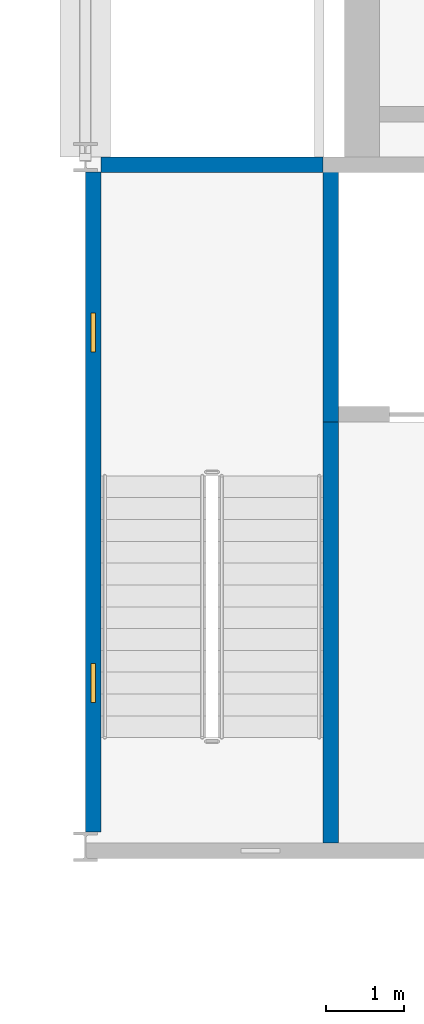
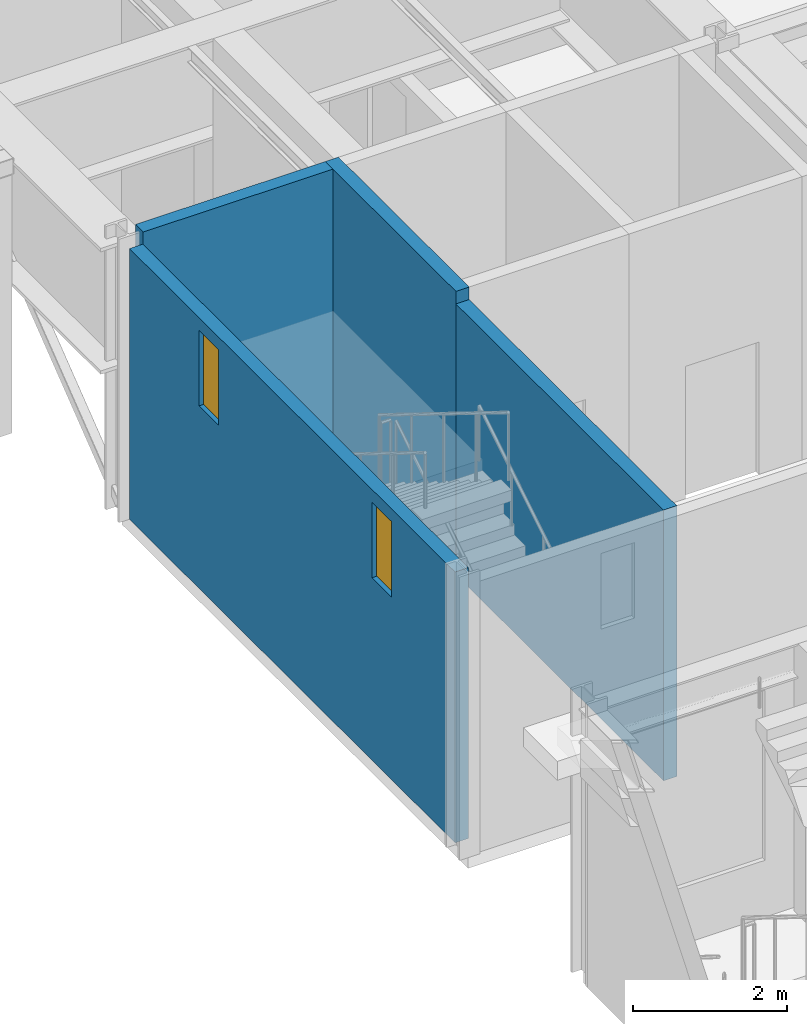
# One storey, part 101 of 153: 4 walls, 2 windows, 2 openings.
"""IFC4 building model written with IfcOpenShell, lengths in metres."""

from ifc_helpers import new_model, si_unit, direction, frame, frame_2d, origin, place, context, subcontext, project, spatial, rectangle, extrude, material, layer, layer_set, type_object, element, fill, save


model = new_model("IFC4")

# Units and contexts
model_context = context("Model", 3, precision=1e-05, world=origin(), true_north=direction((0.0, 1.0)))
body_context = subcontext(model_context, "Body", "Model", "MODEL_VIEW")
ifc_project = project(units=[si_unit("LENGTHUNIT", "METRE"), si_unit("AREAUNIT", "SQUARE_METRE"), si_unit("VOLUMEUNIT", "CUBIC_METRE"), si_unit("PLANEANGLEUNIT", "RADIAN"), si_unit("MASSUNIT", "GRAM", prefix="KILO")], contexts=[model_context])

# Site, building, storey
site_placement = place(None, origin())
site = spatial("IfcSite", under=ifc_project, at=site_placement, CompositionType="ELEMENT")
building_placement = place(site_placement, origin())
building = spatial("IfcBuilding", under=site, at=building_placement, Name="Kallimachos Central Library", CompositionType="ELEMENT")
storey_placement = place(building_placement, frame((0.0, 0.0, 5.39990234375)))
storey = spatial("IfcBuildingStorey", under=building, at=storey_placement, Name="L01", CompositionType="ELEMENT", Elevation=5.39990234375)

# Walls
ifc_material_1 = material(Name="Concrete C30/37", Category="concrete")
ifc_layer_1 = layer(ifc_material_1, 0.199951171875)
ifc_layer_set_1 = layer_set([ifc_layer_1], Name="Core wall 200")
wall_type_1 = type_object("IfcWallType", Name="Core wall 200", PredefinedType="SOLIDWALL", material=ifc_layer_set_1)
wall_1_placement = place(storey_placement, frame((65.699951171875, 95.89990234375, 0.0), z_axis=(0.0, 0.0, 1.0), x_axis=(1.0, 0.0, 0.0)))
element("IfcWall", 1, at=wall_1_placement, inside=storey, type_object=wall_type_1, Name="Core wall V1-SW N", PredefinedType="SOLIDWALL", context=body_context, shape_type="SweptSolid", body=[
    extrude(rectangle(XDim=2.85009765625, YDim=0.199951171875, at=frame_2d((1.425048828125, 0.0))), origin(), (0.0, 0.0, 1.0), 4.5),
])
wall_2_placement = place(storey_placement, frame((68.64990234375, 87.199951171875, 0.0), z_axis=(0.0, 0.0, 1.0), x_axis=(0.0, 1.0, 0.0)))
element("IfcWall", 2, at=wall_2_placement, inside=storey, type_object=wall_type_1, Name="Stair wall V1-SW", PredefinedType="SOLIDWALL", context=body_context, shape_type="SweptSolid", body=[
    extrude(rectangle(XDim=5.400146484375, YDim=0.199951171875, at=frame_2d((2.7001953125, 0.0))), origin(), (0.0, 0.0, 1.0), 4.300048828125),
])
ifc_material_2 = material(Name="Concrete C30/37", Category="concrete")
ifc_layer_2 = layer(ifc_material_2, 0.199951171875)
ifc_layer_set_2 = layer_set([ifc_layer_2], Name="Lift shaft wall 200")
wall_type_2 = type_object("IfcWallType", Name="Lift shaft wall 200", PredefinedType="SOLIDWALL", material=ifc_layer_set_2)
wall_3_placement = place(storey_placement, frame((68.64990234375, 92.60009765625, 0.0), z_axis=(0.0, 0.0, 1.0), x_axis=(0.0, 1.0, 0.0)))
element("IfcWall", 3, at=wall_3_placement, inside=storey, type_object=wall_type_2, Name="V1-WAL-L01-003", PredefinedType="SOLIDWALL", context=body_context, shape_type="SweptSolid", body=[
    extrude(rectangle(XDim=3.39990234375, YDim=0.199951171875, at=frame_2d((1.699951171875, 0.0))), origin(), (0.0, 0.0, 1.0), 4.5),
])

# Wall, openings, windows
ifc_material_3 = material(Name="Concrete C30/37", Category="concrete")
ifc_layer_3 = layer(ifc_material_3, 0.199951171875)
ifc_layer_set_3 = layer_set([ifc_layer_3], Name="Stone-clad core wall 200")
wall_type_3 = type_object("IfcWallType", Name="Stone-clad core wall 200", PredefinedType="SOLIDWALL", material=ifc_layer_set_3)
wall_4_placement = place(storey_placement, frame((65.60009765625, 87.33837890625, 0.0), z_axis=(0.0, 0.0, 1.0), x_axis=(0.0, 1.0, 0.0)))
wall_4 = element("IfcWall", 4, at=wall_4_placement, inside=storey, type_object=wall_type_3, Name="Core wall V1-SW W", PredefinedType="SOLIDWALL", context=body_context, shape_type="SweptSolid", body=[
    extrude(rectangle(XDim=8.47314453125, YDim=0.199951171875, at=frame_2d((4.236572265625, 0.0))), origin(), (0.0, 0.0, 1.0), 4.300048828125),
])
opening_1_placement = place(wall_4_placement, frame((1.66162109375, 0.0, 2.89990234375)))
opening_1 = element("IfcOpeningElement", 5, at=opening_1_placement, cuts=wall_4, Name="Opening W96", PredefinedType="OPENING", context=body_context, shape_type="SweptSolid", body=[
    extrude(rectangle(XDim=0.5, YDim=1.199951171875, at=frame_2d((0.25, 0.60009765625))), frame((0.0, 0.10986328125, 0.0), z_axis=(0.0, -1.0, 0.0), x_axis=(1.0, 0.0, 0.0)), (0.0, 0.0, 1.0), 0.219970703125),
])
opening_2_placement = place(wall_4_placement, frame((6.16162109375, 0.0, 2.89990234375)))
opening_2 = element("IfcOpeningElement", 6, at=opening_2_placement, cuts=wall_4, Name="Opening W97", PredefinedType="OPENING", context=body_context, shape_type="SweptSolid", body=[
    extrude(rectangle(XDim=0.5, YDim=1.199951171875, at=frame_2d((0.25, 0.60009765625))), frame((0.0, 0.10986328125, 0.0), z_axis=(0.0, -1.0, 0.0), x_axis=(1.0, 0.0, 0.0)), (0.0, 0.0, 1.0), 0.219970703125),
])
ifc_material_4 = material(Name="Laminated glass in bronze-anodised aluminium frame", Category="aluminium")
window_type = type_object("IfcWindowType", Name="Stair slot window 500x1200", PartitioningType="SINGLE_PANEL", PredefinedType="WINDOW", material=ifc_material_4)
window_1_placement = place(opening_1_placement, origin())
window_1 = element("IfcWindow", 7, at=window_1_placement, inside=storey, type_object=window_type, Name="V1-WIN-L01-017", OverallHeight=1.199951171875, OverallWidth=0.5, PartitioningType="SINGLE_PANEL", PredefinedType="WINDOW", context=body_context, shape_type="SweptSolid", body=[
    extrude(rectangle(XDim=0.5, YDim=1.199951171875, at=frame_2d((0.25, 0.60009765625))), frame((0.0, 0.030029296875, 0.0), z_axis=(0.0, -1.0, 0.0), x_axis=(1.0, 0.0, 0.0)), (0.0, 0.0, 1.0), 0.06005859375),
])
fill(opening_1, window_1)
window_2_placement = place(opening_2_placement, origin())
window_2 = element("IfcWindow", 8, at=window_2_placement, inside=storey, type_object=window_type, Name="V1-WIN-L01-018", OverallHeight=1.199951171875, OverallWidth=0.5, PartitioningType="SINGLE_PANEL", PredefinedType="WINDOW", context=body_context, shape_type="SweptSolid", body=[
    extrude(rectangle(XDim=0.5, YDim=1.199951171875, at=frame_2d((0.25, 0.60009765625))), frame((0.0, 0.030029296875, 0.0), z_axis=(0.0, -1.0, 0.0), x_axis=(1.0, 0.0, 0.0)), (0.0, 0.0, 1.0), 0.06005859375),
])
fill(opening_2, window_2)

save(model, "model.ifc")
